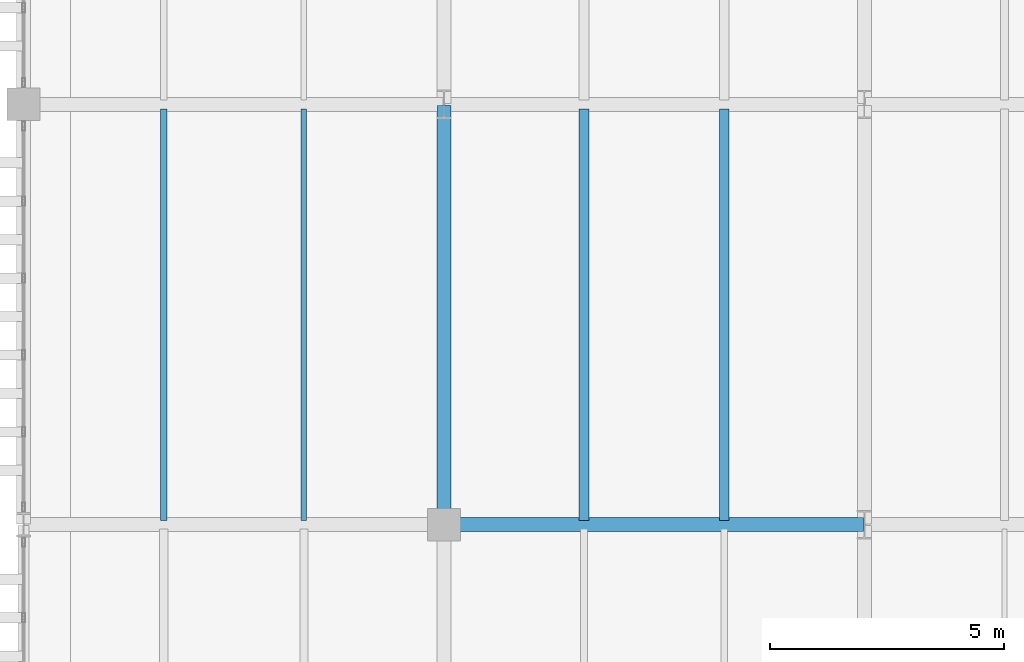
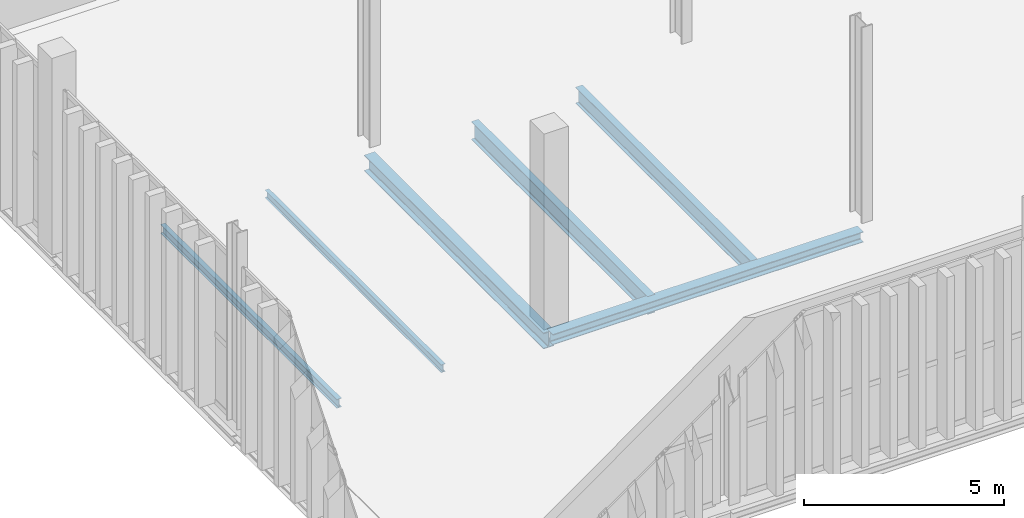
# One storey, part 86 of 211: 6 beams.
"""IFC4 building model written with IfcOpenShell, lengths in metres."""

from ifc_helpers import new_model, si_unit, direction, frame, origin, origin_2d, place, context, subcontext, project, spatial, i_section, extrude, material, material_profile, profile_set, type_object, element, save


model = new_model("IFC4")

# Units and contexts
model_context = context("Model", 3, precision=1e-05, world=origin(), true_north=direction((0.0, 1.0)))
body_context = subcontext(model_context, "Body", "Model", "MODEL_VIEW")
ifc_project = project(units=[si_unit("LENGTHUNIT", "METRE"), si_unit("AREAUNIT", "SQUARE_METRE"), si_unit("VOLUMEUNIT", "CUBIC_METRE"), si_unit("PLANEANGLEUNIT", "RADIAN"), si_unit("MASSUNIT", "GRAM", prefix="KILO")], contexts=[model_context])

# Site, building, storey
site_placement = place(None, origin())
site = spatial("IfcSite", under=ifc_project, at=site_placement, CompositionType="ELEMENT")
building_placement = place(site_placement, origin())
building = spatial("IfcBuilding", under=site, at=building_placement, Name="Barlavento Convention Centre", CompositionType="ELEMENT")
storey_placement = place(building_placement, frame((0.0, 0.0, 6.0)))
storey = spatial("IfcBuildingStorey", under=building, at=storey_placement, Name="L01", CompositionType="ELEMENT", Elevation=6.0)

# Beams
ifc_material = material(Name="Steel S355", Category="steel")
ifc_material_profile_1 = material_profile(ifc_material, i_section(OverallWidth=0.1201171875, OverallDepth=0.239990234375, WebThickness=0.006103515625, FlangeThickness=0.009765625, FilletRadius=0.014892578125, at=origin_2d()), Name="IPE 240")
ifc_profile_set_1 = profile_set([ifc_material_profile_1], Name="Steel S355")
beam_type_1 = type_object("IfcBeamType", Name="STR-BM-JST-IPE240", PredefinedType="JOIST", material=ifc_profile_set_1)
beam_1_placement = place(storey_placement, frame((132.0, 9.094970703125, -0.47998046875), z_axis=(0.0, 1.0, 0.0), x_axis=(-1.0, 0.0, 0.0)))
element("IfcBeam", 1, at=beam_1_placement, inside=storey, type_object=beam_type_1, Name="L01 composite floor joist SJ09", PredefinedType="JOIST", context=body_context, shape_type="SweptSolid", body=[
    extrude(i_section(OverallWidth=0.1201171875, OverallDepth=0.239990234375, WebThickness=0.006103515625, FlangeThickness=0.009765625, FilletRadius=0.014892578125, at=origin_2d()), origin(), (0.0, 0.0, 1.0), 8.81005859375),
])
ifc_material_profile_2 = material_profile(ifc_material, i_section(OverallWidth=0.135009765625, OverallDepth=0.27001953125, WebThickness=0.006591796875, FlangeThickness=0.01025390625, FilletRadius=0.014892578125, at=origin_2d()), Name="IPE 270")
ifc_profile_set_2 = profile_set([ifc_material_profile_2], Name="Steel S355")
beam_type_2 = type_object("IfcBeamType", Name="STR-BM-JST-IPE270", PredefinedType="JOIST", material=ifc_profile_set_2)
beam_2_placement = place(storey_placement, frame((129.0, 9.094970703125, -0.4951171875), z_axis=(0.0, 1.0, 0.0), x_axis=(-1.0, 0.0, 0.0)))
element("IfcBeam", 2, at=beam_2_placement, inside=storey, type_object=beam_type_2, Name="L01 composite floor joist SJ08", PredefinedType="JOIST", context=body_context, shape_type="SweptSolid", body=[
    extrude(i_section(OverallWidth=0.135009765625, OverallDepth=0.27001953125, WebThickness=0.006591796875, FlangeThickness=0.01025390625, FilletRadius=0.014892578125, at=origin_2d()), origin(), (0.0, 0.0, 1.0), 8.81005859375),
])
ifc_material_profile_3 = material_profile(ifc_material, i_section(OverallWidth=0.199951171875, OverallDepth=0.5, WebThickness=0.01025390625, FlangeThickness=0.01611328125, FilletRadius=0.02099609375, at=origin_2d()), Name="IPE 500")
ifc_profile_set_3 = profile_set([ifc_material_profile_3], Name="Steel S355")
beam_type_3 = type_object("IfcBeamType", Name="STR-BM-JST-IPE500", PredefinedType="JOIST", material=ifc_profile_set_3)
beam_3_placement = place(storey_placement, frame((141.0, 9.094970703125, -0.610107421875), z_axis=(0.0, 1.0, 0.0), x_axis=(-1.0, 0.0, 0.0)))
element("IfcBeam", 3, at=beam_3_placement, inside=storey, type_object=beam_type_3, Name="L01 composite floor joist SJ02", PredefinedType="JOIST", context=body_context, shape_type="SweptSolid", body=[
    extrude(i_section(OverallWidth=0.199951171875, OverallDepth=0.5, WebThickness=0.01025390625, FlangeThickness=0.01611328125, FilletRadius=0.02099609375, at=origin_2d()), origin(), (0.0, 0.0, 1.0), 8.81005859375),
])
ifc_material_profile_4 = material_profile(ifc_material, i_section(OverallWidth=0.2099609375, OverallDepth=0.550048828125, WebThickness=0.010986328125, FlangeThickness=0.01708984375, FilletRadius=0.02392578125, at=origin_2d()), Name="IPE 550")
ifc_profile_set_4 = profile_set([ifc_material_profile_4], Name="Steel S355")
beam_type_4 = type_object("IfcBeamType", Name="STR-BM-JST-IPE550", PredefinedType="JOIST", material=ifc_profile_set_4)
beam_4_placement = place(storey_placement, frame((138.0, 9.094970703125, -0.635009765625), z_axis=(0.0, 1.0, 0.0), x_axis=(-1.0, 0.0, 0.0)))
element("IfcBeam", 4, at=beam_4_placement, inside=storey, type_object=beam_type_4, Name="L01 composite floor joist SJ01", PredefinedType="JOIST", context=body_context, shape_type="SweptSolid", body=[
    extrude(i_section(OverallWidth=0.2099609375, OverallDepth=0.550048828125, WebThickness=0.010986328125, FlangeThickness=0.01708984375, FilletRadius=0.02392578125, at=origin_2d()), origin(), (0.0, 0.0, 1.0), 8.81005859375),
])
ifc_material_profile_5 = material_profile(ifc_material, i_section(OverallWidth=0.300048828125, OverallDepth=0.489990234375, WebThickness=0.011962890625, FlangeThickness=0.02294921875, FilletRadius=0.027099609375, at=origin_2d()), Name="HEA 500")
ifc_profile_set_5 = profile_set([ifc_material_profile_5], Name="Steel S355")
beam_type_5 = type_object("IfcBeamType", Name="STR-BM-PRI-HEA500", PredefinedType="BEAM", material=ifc_profile_set_5)
beam_5_placement = place(storey_placement, frame((135.0, 9.02001953125, -0.60498046875), z_axis=(0.0, 1.0, 0.0), x_axis=(-1.0, 0.0, 0.0)))
element("IfcBeam", 5, at=beam_5_placement, inside=storey, type_object=beam_type_5, Name="L01 grid girder BG20", PredefinedType="BEAM", context=body_context, shape_type="SweptSolid", body=[
    extrude(i_section(OverallWidth=0.300048828125, OverallDepth=0.489990234375, WebThickness=0.011962890625, FlangeThickness=0.02294921875, FilletRadius=0.027099609375, at=origin_2d()), origin(), (0.0, 0.0, 1.0), 8.9599609375),
])
ifc_material_profile_6 = material_profile(ifc_material, i_section(OverallWidth=0.300048828125, OverallDepth=0.320068359375, WebThickness=0.011474609375, FlangeThickness=0.0205078125, FilletRadius=0.027099609375, at=origin_2d()), Name="HEB 320")
ifc_profile_set_6 = profile_set([ifc_material_profile_6], Name="Steel S355")
beam_type_6 = type_object("IfcBeamType", Name="STR-BM-PRI-HEB320", PredefinedType="BEAM", material=ifc_profile_set_6)
beam_6_placement = place(storey_placement, frame((135.02001953125, 9.0, -0.52001953125), z_axis=(1.0, 0.0, 0.0), x_axis=(0.0, 1.0, 0.0)))
element("IfcBeam", 6, at=beam_6_placement, inside=storey, type_object=beam_type_6, Name="L01 primary girder BG13", PredefinedType="BEAM", context=body_context, shape_type="SweptSolid", body=[
    extrude(i_section(OverallWidth=0.300048828125, OverallDepth=0.320068359375, WebThickness=0.011474609375, FlangeThickness=0.0205078125, FilletRadius=0.027099609375, at=origin_2d()), origin(), (0.0, 0.0, 1.0), 8.9599609375),
])

save(model, "model.ifc")
